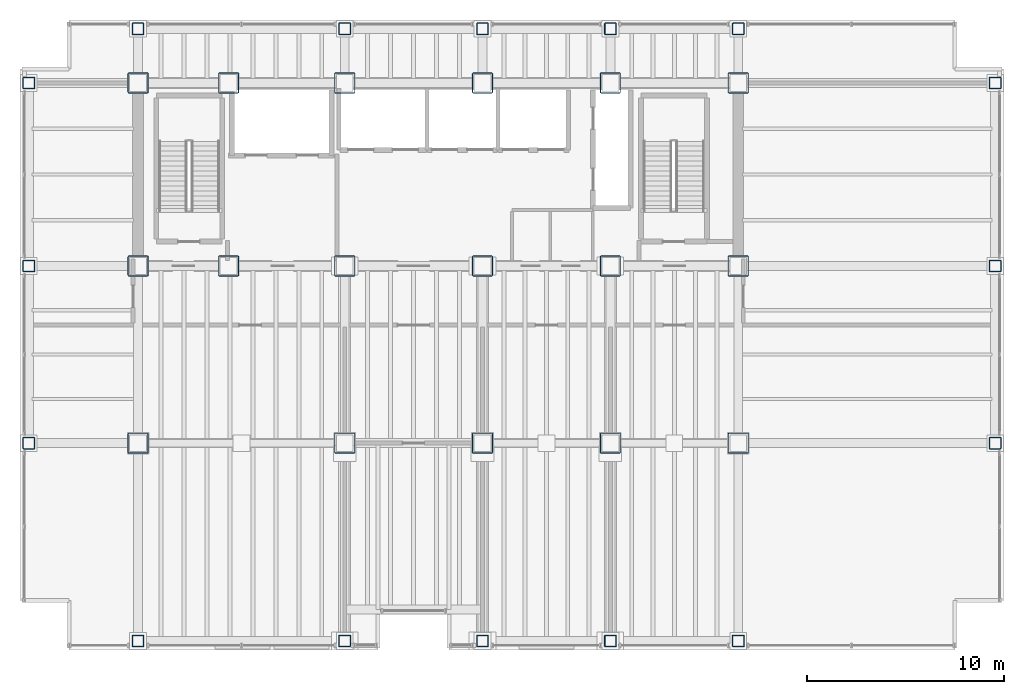
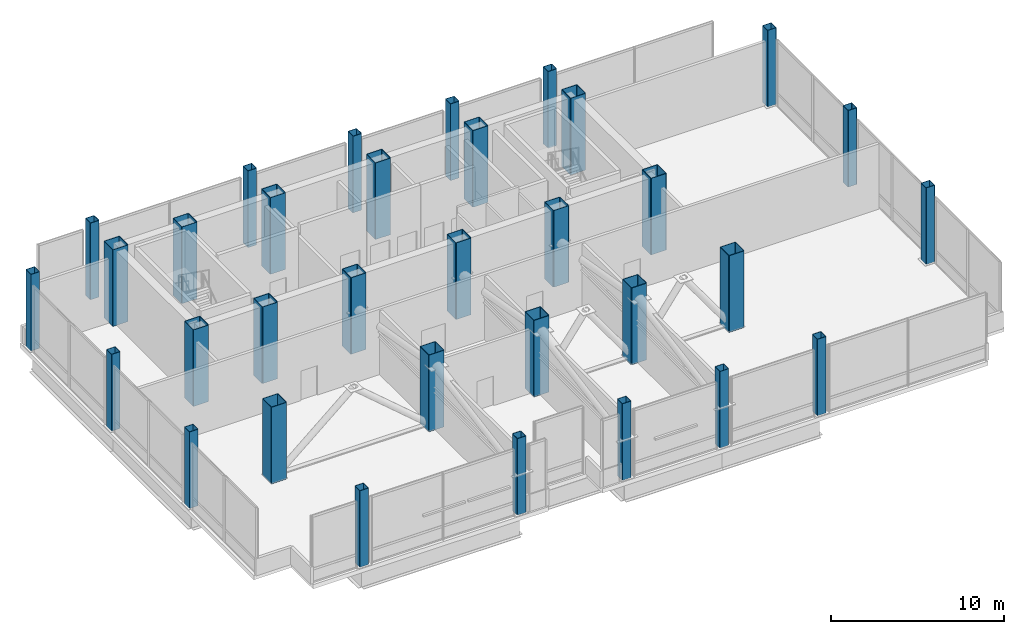
# One storey, part 1 of 20: 33 columns.
"""IFC4 building model written with IfcOpenShell, lengths in metres."""

from ifc_helpers import new_model, si_unit, direction, frame, origin, origin_2d, place, context, subcontext, project, spatial, hollow_rectangle, extrude, material, material_profile, profile_set, type_object, element, save


model = new_model("IFC4")

# Units and contexts
model_context = context("Model", 3, precision=1e-05, world=origin(), true_north=direction((0.0, 1.0)))
body_context = subcontext(model_context, "Body", "Model", "MODEL_VIEW")
ifc_project = project(units=[si_unit("LENGTHUNIT", "METRE"), si_unit("AREAUNIT", "SQUARE_METRE"), si_unit("VOLUMEUNIT", "CUBIC_METRE"), si_unit("PLANEANGLEUNIT", "RADIAN"), si_unit("MASSUNIT", "GRAM", prefix="KILO")], contexts=[model_context])

# Site, building, storey
site_placement = place(None, origin())
site = spatial("IfcSite", under=ifc_project, at=site_placement, CompositionType="ELEMENT")
building_placement = place(site_placement, origin())
building = spatial("IfcBuilding", under=site, at=building_placement, Name="Noeulbin Bourse Tower", CompositionType="ELEMENT")
storey_placement = place(building_placement, frame((0.0, 0.0, 100.60009765625)))
storey = spatial("IfcBuildingStorey", under=building, at=storey_placement, Name="L25", CompositionType="ELEMENT", Elevation=100.60009765625)

# Columns
ifc_material = material(Name="Steel S460", Category="steel")
ifc_material_profile_1 = material_profile(ifc_material, hollow_rectangle(XDim=0.60009765625, YDim=0.60009765625, WallThickness=0.02587890625, InnerFilletRadius=0.012939453125, OuterFilletRadius=0.0390625, at=origin_2d()), Name="BOX-600x600x26", Category="LoadBearing")
ifc_profile_set_1 = profile_set([ifc_material_profile_1], Name="Steel S460")
column_type_1 = type_object("IfcColumnType", Name="COL-PER-Z1", PredefinedType="COLUMN", material=ifc_profile_set_1)
for number, where, z_axis, x_axis, name in (
    (1, (7.949951171875, 20.0, 0.0), (0.0, 0.0, 1.0), (1.0, 0.0, 0.0), "Tower Perimeter Column COL-PER-Z1 01"),
    (2, (7.949951171875, 29.0, 0.0), (0.0, 0.0, 1.0), (1.0, 0.0, 0.0), "Tower Perimeter Column COL-PER-Z1 02"),
    (3, (7.949951171875, 38.300048828125, 0.0), (0.0, 0.0, 1.0), (1.0, 0.0, 0.0), "Tower Perimeter Column COL-PER-Z1 03"),
    (4, (13.5, 9.949951171875, 0.0), (0.0, 0.0, 1.0), (1.0, 0.0, 0.0), "Tower Perimeter Column COL-PER-Z1 04"),
    (5, (13.5, 41.050048828125, 0.0), (0.0, 0.0, 1.0), (1.0, 0.0, 0.0), "Tower Perimeter Column COL-PER-Z1 05"),
    (6, (24.0, 9.949951171875, 0.0), (0.0, 0.0, 1.0), (1.0, 0.0, 0.0), "Tower Perimeter Column COL-PER-Z1 06"),
    (7, (24.0, 41.050048828125, 0.0), (0.0, 0.0, 1.0), (1.0, 0.0, 0.0), "Tower Perimeter Column COL-PER-Z1 07"),
    (8, (31.0, 9.949951171875, 0.0), (0.0, 0.0, 1.0), (1.0, 0.0, 0.0), "Tower Perimeter Column COL-PER-Z1 08"),
    (9, (31.0, 41.050048828125, 0.0), (0.0, 0.0, 1.0), (1.0, 0.0, 0.0), "Tower Perimeter Column COL-PER-Z1 09"),
    (10, (37.5, 9.949951171875, 0.0), (0.0, 0.0, 1.0), (1.0, 0.0, 0.0), "Tower Perimeter Column COL-PER-Z1 10"),
    (11, (37.5, 41.050048828125, 0.0), (0.0, 0.0, 1.0), (1.0, 0.0, 0.0), "Tower Perimeter Column COL-PER-Z1 11"),
    (12, (44.0, 9.949951171875, 0.0), (0.0, 0.0, 1.0), (1.0, 0.0, 0.0), "Tower Perimeter Column COL-PER-Z1 12"),
    (13, (44.0, 41.050048828125, 0.0), (0.0, 0.0, 1.0), (1.0, 0.0, 0.0), "Tower Perimeter Column COL-PER-Z1 13"),
    (14, (57.050048828125, 20.0, 0.0), (0.0, 0.0, 1.0), (1.0, 0.0, 0.0), "Tower Perimeter Column COL-PER-Z1 14"),
    (15, (57.050048828125, 29.0, 0.0), (0.0, 0.0, 1.0), (1.0, 0.0, 0.0), "Tower Perimeter Column COL-PER-Z1 15"),
    (16, (57.050048828125, 38.300048828125, 0.0), (0.0, 0.0, 1.0), (1.0, 0.0, 0.0), "Tower Perimeter Column COL-PER-Z1 16"),
):
    element("IfcColumn", number, at=place(storey_placement, frame(where, z_axis=z_axis, x_axis=x_axis)), inside=storey, type_object=column_type_1, Name=name, PredefinedType="COLUMN", context=body_context, shape_type="SweptSolid", body=[
        extrude(hollow_rectangle(XDim=0.60009765625, YDim=0.60009765625, WallThickness=0.02587890625, InnerFilletRadius=0.012939453125, OuterFilletRadius=0.0390625, at=origin_2d()), origin(), (0.0, 0.0, 1.0), 5.39990234375),
    ])
ifc_material_profile_2 = material_profile(ifc_material, hollow_rectangle(XDim=1.050048828125, YDim=1.050048828125, WallThickness=0.0380859375, InnerFilletRadius=0.01904296875, OuterFilletRadius=0.056884765625, at=origin_2d()), Name="BOX-1050x1050x38", Category="LoadBearing")
ifc_profile_set_2 = profile_set([ifc_material_profile_2], Name="Steel S460")
column_type_2 = type_object("IfcColumnType", Name="COL-TRK-Z1", PredefinedType="COLUMN", material=ifc_profile_set_2)
for number, where, z_axis, x_axis, name in (
    (17, (13.5, 29.0, 0.0), (0.0, 0.0, 1.0), (1.0, 0.0, 0.0), "Tower Trunk Mega-Column COL-TRK-Z1 01"),
    (18, (13.5, 38.300048828125, 0.0), (0.0, 0.0, 1.0), (1.0, 0.0, 0.0), "Tower Trunk Mega-Column COL-TRK-Z1 02"),
    (19, (18.10009765625, 29.0, 0.0), (0.0, 0.0, 1.0), (1.0, 0.0, 0.0), "Tower Trunk Mega-Column COL-TRK-Z1 03"),
    (20, (18.10009765625, 38.300048828125, 0.0), (0.0, 0.0, 1.0), (1.0, 0.0, 0.0), "Tower Trunk Mega-Column COL-TRK-Z1 04"),
    (21, (24.0, 29.0, 0.0), (0.0, 0.0, 1.0), (1.0, 0.0, 0.0), "Tower Trunk Mega-Column COL-TRK-Z1 05"),
    (22, (24.0, 38.300048828125, 0.0), (0.0, 0.0, 1.0), (1.0, 0.0, 0.0), "Tower Trunk Mega-Column COL-TRK-Z1 06"),
    (23, (31.0, 29.0, 0.0), (0.0, 0.0, 1.0), (1.0, 0.0, 0.0), "Tower Trunk Mega-Column COL-TRK-Z1 07"),
    (24, (31.0, 38.300048828125, 0.0), (0.0, 0.0, 1.0), (1.0, 0.0, 0.0), "Tower Trunk Mega-Column COL-TRK-Z1 08"),
    (25, (37.5, 29.0, 0.0), (0.0, 0.0, 1.0), (1.0, 0.0, 0.0), "Tower Trunk Mega-Column COL-TRK-Z1 09"),
    (26, (37.5, 38.300048828125, 0.0), (0.0, 0.0, 1.0), (1.0, 0.0, 0.0), "Tower Trunk Mega-Column COL-TRK-Z1 10"),
    (27, (44.0, 29.0, 0.0), (0.0, 0.0, 1.0), (1.0, 0.0, 0.0), "Tower Trunk Mega-Column COL-TRK-Z1 11"),
    (28, (44.0, 38.300048828125, 0.0), (0.0, 0.0, 1.0), (1.0, 0.0, 0.0), "Tower Trunk Mega-Column COL-TRK-Z1 12"),
    (29, (13.5, 20.0, 0.0), (0.0, 0.0, 1.0), (1.0, 0.0, 0.0), "Tower Trunk Mega-Column COL-TRK-Z1 13"),
    (30, (24.0, 20.0, 0.0), (0.0, 0.0, 1.0), (1.0, 0.0, 0.0), "Tower Trunk Mega-Column COL-TRK-Z1 14"),
    (31, (31.0, 20.0, 0.0), (0.0, 0.0, 1.0), (1.0, 0.0, 0.0), "Tower Trunk Mega-Column COL-TRK-Z1 15"),
    (32, (37.5, 20.0, 0.0), (0.0, 0.0, 1.0), (1.0, 0.0, 0.0), "Tower Trunk Mega-Column COL-TRK-Z1 16"),
    (33, (44.0, 20.0, 0.0), (0.0, 0.0, 1.0), (1.0, 0.0, 0.0), "Tower Trunk Mega-Column COL-TRK-Z1 17"),
):
    element("IfcColumn", number, at=place(storey_placement, frame(where, z_axis=z_axis, x_axis=x_axis)), inside=storey, type_object=column_type_2, Name=name, PredefinedType="COLUMN", context=body_context, shape_type="SweptSolid", body=[
        extrude(hollow_rectangle(XDim=1.050048828125, YDim=1.050048828125, WallThickness=0.0380859375, InnerFilletRadius=0.01904296875, OuterFilletRadius=0.056884765625, at=origin_2d()), origin(), (0.0, 0.0, 1.0), 5.39990234375),
    ])

save(model, "model.ifc")
